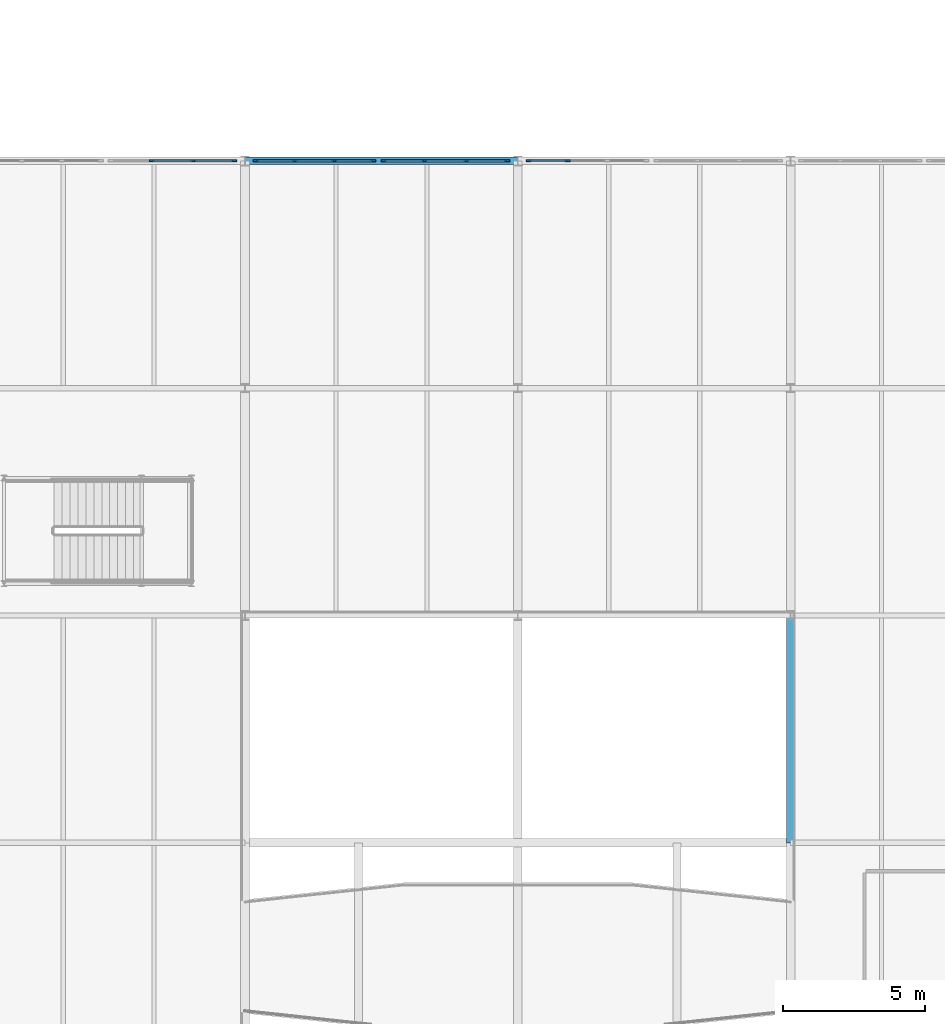
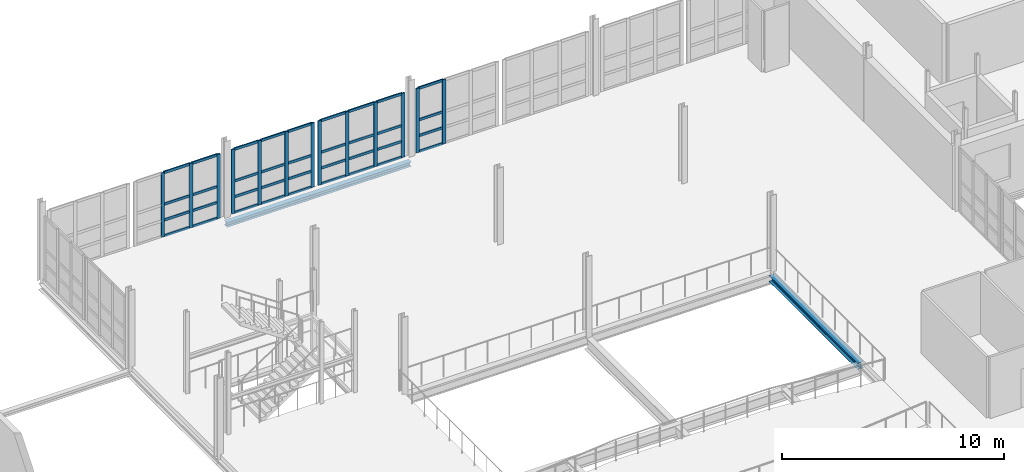
# One storey, part 34 of 73: 49 members, 2 beams, 4 elements without a shape of their own.
"""IFC4 building model written with IfcOpenShell, lengths in metres."""

from ifc_helpers import new_model, si_unit, direction, frame, origin, origin_2d, place, context, subcontext, project, spatial, rectangle, i_section, extrude, material, layer, layer_set, material_profile, profile_set, type_object, element, aggregate, save


model = new_model("IFC4")

# Units and contexts
model_context = context("Model", 3, precision=1e-05, world=origin(), true_north=direction((0.0, 1.0)))
body_context = subcontext(model_context, "Body", "Model", "MODEL_VIEW")
ifc_project = project(units=[si_unit("LENGTHUNIT", "METRE"), si_unit("AREAUNIT", "SQUARE_METRE"), si_unit("VOLUMEUNIT", "CUBIC_METRE"), si_unit("PLANEANGLEUNIT", "RADIAN"), si_unit("MASSUNIT", "GRAM", prefix="KILO")], contexts=[model_context])

# Site, building, storey
site_placement = place(None, origin())
site = spatial("IfcSite", under=ifc_project, at=site_placement, CompositionType="ELEMENT")
building_placement = place(site_placement, origin())
building = spatial("IfcBuilding", under=site, at=building_placement, Name="Alderhovde Museum", CompositionType="ELEMENT")
storey_placement = place(building_placement, frame((0.0, 0.0, 12.89990234375)))
storey = spatial("IfcBuildingStorey", under=building, at=storey_placement, Name="L03", CompositionType="ELEMENT", Elevation=12.89990234375)

# Beam
ifc_material_1 = material(Name="Steel S355J2", Category="steel")
ifc_material_profile_1 = material_profile(ifc_material_1, i_section(OverallWidth=0.300048828125, OverallDepth=0.330078125, WebThickness=0.009521484375, FlangeThickness=0.0166015625, FilletRadius=0.027099609375, at=origin_2d()), Name="HEA 340")
ifc_profile_set_1 = profile_set([ifc_material_profile_1], Name="Steel S355J2")
beam_type_1 = type_object("IfcBeamType", Name="BM-HEA340", PredefinedType="BEAM", material=ifc_profile_set_1)
beam_1_placement = place(storey_placement, frame((105.60009765625, 64.0, -0.4248046875), z_axis=(0.0, 1.0, 0.0), x_axis=(-1.0, 0.0, 0.0)))
element("IfcBeam", 1, at=beam_1_placement, inside=storey, type_object=beam_type_1, Name="L03 Grid Beam X=105.6 (64.0 TO 72.0)", PredefinedType="BEAM", context=body_context, shape_type="SweptSolid", body=[
    extrude(i_section(OverallWidth=0.300048828125, OverallDepth=0.330078125, WebThickness=0.009521484375, FlangeThickness=0.0166015625, FilletRadius=0.027099609375, at=origin_2d()), origin(), (0.0, 0.0, 1.0), 8.0),
])

# Curtain wall, members
ifc_material_2 = material(Name="Triple-Glazed Bronze-Anodised Curtain Wall", Category="glass")
ifc_layer_1 = layer(ifc_material_2, 0.179931640625)
ifc_layer_set_1 = layer_set([ifc_layer_1], Name="Triple-Glazed Bronze-Anodised Curtain Wall")
curtain_wall_type_1 = type_object("IfcCurtainWallType", Name="CW-UNIT-440x354", PredefinedType="USERDEFINED", material=ifc_layer_set_1)
curtain_wall_1_placement = place(storey_placement, origin())
curtain_wall_1 = element("IfcCurtainWall", 2, at=curtain_wall_1_placement, inside=storey, type_object=curtain_wall_type_1, Name="L03 Unitised Curtain Wall 49", ObjectType="UNITISED CURTAIN WALL", PredefinedType="USERDEFINED")
ifc_material_3 = material(Name="Bronze-Anodised Aluminium EN AW-6063-T6", Category="aluminium")
ifc_material_profile_2 = material_profile(ifc_material_3, rectangle(XDim=0.06494140625, YDim=0.179931640625, at=origin_2d()), Name="MULLION 65x180")
ifc_profile_set_2 = profile_set([ifc_material_profile_2], Name="Bronze-Anodised Aluminium EN AW-6063-T6")
member_type_1 = type_object("IfcMemberType", Name="CWM-65x180", PredefinedType="MULLION", material=ifc_profile_set_2)
member_1_placement = place(storey_placement, frame((83.11669921875, 88.0, 0.0), z_axis=(0.0, 0.0, 1.0), x_axis=(0.0, 1.0, 0.0)))
member_1 = element("IfcMember", 3, at=member_1_placement, type_object=member_type_1, Name="CW16 mullion 2", PredefinedType="MULLION", context=body_context, shape_type="SweptSolid", body=[
    extrude(rectangle(XDim=0.06494140625, YDim=0.179931640625, at=origin_2d()), origin(), (0.0, 0.0, 1.0), 3.5400390625),
])
member_2_placement = place(storey_placement, frame((84.583251953125, 88.0, 0.0), z_axis=(0.0, 0.0, 1.0), x_axis=(0.0, 1.0, 0.0)))
member_2 = element("IfcMember", 4, at=member_2_placement, type_object=member_type_1, Name="CW16 mullion 3", PredefinedType="MULLION", context=body_context, shape_type="SweptSolid", body=[
    extrude(rectangle(XDim=0.06494140625, YDim=0.179931640625, at=origin_2d()), origin(), (0.0, 0.0, 1.0), 3.5400390625),
])
member_3_placement = place(storey_placement, frame((86.017578125, 88.0, 0.0), z_axis=(0.0, 0.0, 1.0), x_axis=(0.0, 1.0, 0.0)))
member_3 = element("IfcMember", 5, at=member_3_placement, type_object=member_type_1, Name="CW16 mullion 4", PredefinedType="MULLION", context=body_context, shape_type="SweptSolid", body=[
    extrude(rectangle(XDim=0.06494140625, YDim=0.179931640625, at=origin_2d()), origin(), (0.0, 0.0, 1.0), 3.5400390625),
])

ifc_material_4 = material(Name="Triple-Glazed Bronze-Anodised Curtain Wall", Category="glass")
ifc_layer_2 = layer(ifc_material_4, 0.179931640625)
ifc_layer_set_2 = layer_set([ifc_layer_2], Name="Triple-Glazed Bronze-Anodised Curtain Wall")
curtain_wall_type_2 = type_object("IfcCurtainWallType", Name="CW-UNIT-420x354", PredefinedType="USERDEFINED", material=ifc_layer_set_2)
curtain_wall_2_placement = place(storey_placement, origin())
curtain_wall_2 = element("IfcCurtainWall", 6, at=curtain_wall_2_placement, inside=storey, type_object=curtain_wall_type_2, Name="L03 Unitised Curtain Wall 50", ObjectType="UNITISED CURTAIN WALL", PredefinedType="USERDEFINED")
member_4_placement = place(storey_placement, frame((86.782470703125, 88.0, 0.0), z_axis=(0.0, 0.0, 1.0), x_axis=(0.0, 1.0, 0.0)))
member_4 = element("IfcMember", 7, at=member_4_placement, type_object=member_type_1, Name="CW15 mullion 1", PredefinedType="MULLION", context=body_context, shape_type="SweptSolid", body=[
    extrude(rectangle(XDim=0.06494140625, YDim=0.179931640625, at=origin_2d()), origin(), (0.0, 0.0, 1.0), 3.5400390625),
])
member_5_placement = place(storey_placement, frame((88.14990234375, 88.0, 0.0), z_axis=(0.0, 0.0, 1.0), x_axis=(0.0, 1.0, 0.0)))
member_5 = element("IfcMember", 8, at=member_5_placement, type_object=member_type_1, Name="CW15 mullion 2", PredefinedType="MULLION", context=body_context, shape_type="SweptSolid", body=[
    extrude(rectangle(XDim=0.06494140625, YDim=0.179931640625, at=origin_2d()), origin(), (0.0, 0.0, 1.0), 3.5400390625),
])
member_6_placement = place(storey_placement, frame((89.550048828125, 88.0, 0.0), z_axis=(0.0, 0.0, 1.0), x_axis=(0.0, 1.0, 0.0)))
member_6 = element("IfcMember", 9, at=member_6_placement, type_object=member_type_1, Name="CW15 mullion 3", PredefinedType="MULLION", context=body_context, shape_type="SweptSolid", body=[
    extrude(rectangle(XDim=0.06494140625, YDim=0.179931640625, at=origin_2d()), origin(), (0.0, 0.0, 1.0), 3.5400390625),
])
member_7_placement = place(storey_placement, frame((90.91748046875, 88.0, 0.0), z_axis=(0.0, 0.0, 1.0), x_axis=(0.0, 1.0, 0.0)))
member_7 = element("IfcMember", 10, at=member_7_placement, type_object=member_type_1, Name="CW15 mullion 4", PredefinedType="MULLION", context=body_context, shape_type="SweptSolid", body=[
    extrude(rectangle(XDim=0.06494140625, YDim=0.179931640625, at=origin_2d()), origin(), (0.0, 0.0, 1.0), 3.5400390625),
])

curtain_wall_3_placement = place(storey_placement, origin())
curtain_wall_3 = element("IfcCurtainWall", 11, at=curtain_wall_3_placement, inside=storey, type_object=curtain_wall_type_1, Name="L03 Unitised Curtain Wall 51", ObjectType="UNITISED CURTAIN WALL", PredefinedType="USERDEFINED")
member_8_placement = place(storey_placement, frame((91.282470703125, 88.0, 0.0), z_axis=(0.0, 0.0, 1.0), x_axis=(0.0, 1.0, 0.0)))
member_8 = element("IfcMember", 12, at=member_8_placement, type_object=member_type_1, Name="CW16 mullion 1", PredefinedType="MULLION", context=body_context, shape_type="SweptSolid", body=[
    extrude(rectangle(XDim=0.06494140625, YDim=0.179931640625, at=origin_2d()), origin(), (0.0, 0.0, 1.0), 3.5400390625),
])
member_9_placement = place(storey_placement, frame((92.716552734375, 88.0, 0.0), z_axis=(0.0, 0.0, 1.0), x_axis=(0.0, 1.0, 0.0)))
member_9 = element("IfcMember", 13, at=member_9_placement, type_object=member_type_1, Name="CW16 mullion 2", PredefinedType="MULLION", context=body_context, shape_type="SweptSolid", body=[
    extrude(rectangle(XDim=0.06494140625, YDim=0.179931640625, at=origin_2d()), origin(), (0.0, 0.0, 1.0), 3.5400390625),
])
member_10_placement = place(storey_placement, frame((94.183349609375, 88.0, 0.0), z_axis=(0.0, 0.0, 1.0), x_axis=(0.0, 1.0, 0.0)))
member_10 = element("IfcMember", 14, at=member_10_placement, type_object=member_type_1, Name="CW16 mullion 3", PredefinedType="MULLION", context=body_context, shape_type="SweptSolid", body=[
    extrude(rectangle(XDim=0.06494140625, YDim=0.179931640625, at=origin_2d()), origin(), (0.0, 0.0, 1.0), 3.5400390625),
])
member_11_placement = place(storey_placement, frame((95.617431640625, 88.0, 0.0), z_axis=(0.0, 0.0, 1.0), x_axis=(0.0, 1.0, 0.0)))
member_11 = element("IfcMember", 15, at=member_11_placement, type_object=member_type_1, Name="CW16 mullion 4", PredefinedType="MULLION", context=body_context, shape_type="SweptSolid", body=[
    extrude(rectangle(XDim=0.06494140625, YDim=0.179931640625, at=origin_2d()), origin(), (0.0, 0.0, 1.0), 3.5400390625),
])

curtain_wall_4_placement = place(storey_placement, origin())
curtain_wall_4 = element("IfcCurtainWall", 16, at=curtain_wall_4_placement, inside=storey, type_object=curtain_wall_type_2, Name="L03 Unitised Curtain Wall 52", ObjectType="UNITISED CURTAIN WALL", PredefinedType="USERDEFINED")
member_12_placement = place(storey_placement, frame((96.382568359375, 88.0, 0.0), z_axis=(0.0, 0.0, 1.0), x_axis=(0.0, 1.0, 0.0)))
member_12 = element("IfcMember", 17, at=member_12_placement, type_object=member_type_1, Name="CW15 mullion 1", PredefinedType="MULLION", context=body_context, shape_type="SweptSolid", body=[
    extrude(rectangle(XDim=0.06494140625, YDim=0.179931640625, at=origin_2d()), origin(), (0.0, 0.0, 1.0), 3.5400390625),
])
member_13_placement = place(storey_placement, frame((97.75, 88.0, 0.0), z_axis=(0.0, 0.0, 1.0), x_axis=(0.0, 1.0, 0.0)))
member_13 = element("IfcMember", 18, at=member_13_placement, type_object=member_type_1, Name="CW15 mullion 2", PredefinedType="MULLION", context=body_context, shape_type="SweptSolid", body=[
    extrude(rectangle(XDim=0.06494140625, YDim=0.179931640625, at=origin_2d()), origin(), (0.0, 0.0, 1.0), 3.5400390625),
])

# Member
ifc_material_5 = material(Name="Bronze-Anodised Aluminium EN AW-6063-T6", Category="aluminium")
ifc_material_profile_3 = material_profile(ifc_material_5, rectangle(XDim=0.06494140625, YDim=0.139892578125, at=origin_2d()), Name="TRANSOM 65x140")
ifc_profile_set_3 = profile_set([ifc_material_profile_3], Name="Bronze-Anodised Aluminium EN AW-6063-T6")
member_type_2 = type_object("IfcMemberType", Name="CWT-65x140", PredefinedType="USERDEFINED", material=ifc_profile_set_3)
member_14_placement = place(storey_placement, frame((83.149169921875, 88.0, 0.03271484375), z_axis=(1.0, 0.0, 0.0), x_axis=(0.0, 1.0, 0.0)))
member_14 = element("IfcMember", 19, at=member_14_placement, type_object=member_type_2, Name="CW16 transom 2.1", ObjectType="TRANSOM", PredefinedType="USERDEFINED", context=body_context, shape_type="SweptSolid", body=[
    extrude(rectangle(XDim=0.06494140625, YDim=0.139892578125, at=origin_2d()), origin(), (0.0, 0.0, 1.0), 1.401611328125),
])

member_15_placement = place(storey_placement, frame((83.149169921875, 88.0, 0.900146484375), z_axis=(1.0, 0.0, 0.0), x_axis=(0.0, 1.0, 0.0)))
member_15 = element("IfcMember", 20, at=member_15_placement, type_object=member_type_2, Name="CW16 transom 2.2", ObjectType="TRANSOM", PredefinedType="USERDEFINED", context=body_context, shape_type="SweptSolid", body=[
    extrude(rectangle(XDim=0.06494140625, YDim=0.139892578125, at=origin_2d()), origin(), (0.0, 0.0, 1.0), 1.401611328125),
])

member_16_placement = place(storey_placement, frame((83.149169921875, 88.0, 1.77001953125), z_axis=(1.0, 0.0, 0.0), x_axis=(0.0, 1.0, 0.0)))
member_16 = element("IfcMember", 21, at=member_16_placement, type_object=member_type_2, Name="CW16 transom 2.3", ObjectType="TRANSOM", PredefinedType="USERDEFINED", context=body_context, shape_type="SweptSolid", body=[
    extrude(rectangle(XDim=0.06494140625, YDim=0.139892578125, at=origin_2d()), origin(), (0.0, 0.0, 1.0), 1.401611328125),
])

member_17_placement = place(storey_placement, frame((83.149169921875, 88.0, 3.507568359375), z_axis=(1.0, 0.0, 0.0), x_axis=(0.0, 1.0, 0.0)))
member_17 = element("IfcMember", 22, at=member_17_placement, type_object=member_type_2, Name="CW16 transom 2.4", ObjectType="TRANSOM", PredefinedType="USERDEFINED", context=body_context, shape_type="SweptSolid", body=[
    extrude(rectangle(XDim=0.06494140625, YDim=0.139892578125, at=origin_2d()), origin(), (0.0, 0.0, 1.0), 1.401611328125),
])

member_18_placement = place(storey_placement, frame((84.61572265625, 88.0, 0.03271484375), z_axis=(1.0, 0.0, 0.0), x_axis=(0.0, 1.0, 0.0)))
member_18 = element("IfcMember", 23, at=member_18_placement, type_object=member_type_2, Name="CW16 transom 3.1", ObjectType="TRANSOM", PredefinedType="USERDEFINED", context=body_context, shape_type="SweptSolid", body=[
    extrude(rectangle(XDim=0.06494140625, YDim=0.139892578125, at=origin_2d()), origin(), (0.0, 0.0, 1.0), 1.369384765625),
])

member_19_placement = place(storey_placement, frame((84.61572265625, 88.0, 0.900146484375), z_axis=(1.0, 0.0, 0.0), x_axis=(0.0, 1.0, 0.0)))
member_19 = element("IfcMember", 24, at=member_19_placement, type_object=member_type_2, Name="CW16 transom 3.2", ObjectType="TRANSOM", PredefinedType="USERDEFINED", context=body_context, shape_type="SweptSolid", body=[
    extrude(rectangle(XDim=0.06494140625, YDim=0.139892578125, at=origin_2d()), origin(), (0.0, 0.0, 1.0), 1.369384765625),
])

member_20_placement = place(storey_placement, frame((84.61572265625, 88.0, 1.77001953125), z_axis=(1.0, 0.0, 0.0), x_axis=(0.0, 1.0, 0.0)))
member_20 = element("IfcMember", 25, at=member_20_placement, type_object=member_type_2, Name="CW16 transom 3.3", ObjectType="TRANSOM", PredefinedType="USERDEFINED", context=body_context, shape_type="SweptSolid", body=[
    extrude(rectangle(XDim=0.06494140625, YDim=0.139892578125, at=origin_2d()), origin(), (0.0, 0.0, 1.0), 1.369384765625),
])

member_21_placement = place(storey_placement, frame((84.61572265625, 88.0, 3.507568359375), z_axis=(1.0, 0.0, 0.0), x_axis=(0.0, 1.0, 0.0)))
member_21 = element("IfcMember", 26, at=member_21_placement, type_object=member_type_2, Name="CW16 transom 3.4", ObjectType="TRANSOM", PredefinedType="USERDEFINED", context=body_context, shape_type="SweptSolid", body=[
    extrude(rectangle(XDim=0.06494140625, YDim=0.139892578125, at=origin_2d()), origin(), (0.0, 0.0, 1.0), 1.369384765625),
])

aggregate(curtain_wall_1, [member_1, member_2, member_3, member_14, member_15, member_16, member_17, member_18, member_19, member_20, member_21])

member_22_placement = place(storey_placement, frame((86.81494140625, 88.0, 0.03271484375), z_axis=(1.0, 0.0, 0.0), x_axis=(0.0, 1.0, 0.0)))
member_22 = element("IfcMember", 27, at=member_22_placement, type_object=member_type_2, Name="CW15 transom 1.1", ObjectType="TRANSOM", PredefinedType="USERDEFINED", context=body_context, shape_type="SweptSolid", body=[
    extrude(rectangle(XDim=0.06494140625, YDim=0.139892578125, at=origin_2d()), origin(), (0.0, 0.0, 1.0), 1.302490234375),
])

member_23_placement = place(storey_placement, frame((86.81494140625, 88.0, 0.900146484375), z_axis=(1.0, 0.0, 0.0), x_axis=(0.0, 1.0, 0.0)))
member_23 = element("IfcMember", 28, at=member_23_placement, type_object=member_type_2, Name="CW15 transom 1.2", ObjectType="TRANSOM", PredefinedType="USERDEFINED", context=body_context, shape_type="SweptSolid", body=[
    extrude(rectangle(XDim=0.06494140625, YDim=0.139892578125, at=origin_2d()), origin(), (0.0, 0.0, 1.0), 1.302490234375),
])

member_24_placement = place(storey_placement, frame((86.81494140625, 88.0, 1.77001953125), z_axis=(1.0, 0.0, 0.0), x_axis=(0.0, 1.0, 0.0)))
member_24 = element("IfcMember", 29, at=member_24_placement, type_object=member_type_2, Name="CW15 transom 1.3", ObjectType="TRANSOM", PredefinedType="USERDEFINED", context=body_context, shape_type="SweptSolid", body=[
    extrude(rectangle(XDim=0.06494140625, YDim=0.139892578125, at=origin_2d()), origin(), (0.0, 0.0, 1.0), 1.302490234375),
])

member_25_placement = place(storey_placement, frame((86.81494140625, 88.0, 3.507568359375), z_axis=(1.0, 0.0, 0.0), x_axis=(0.0, 1.0, 0.0)))
member_25 = element("IfcMember", 30, at=member_25_placement, type_object=member_type_2, Name="CW15 transom 1.4", ObjectType="TRANSOM", PredefinedType="USERDEFINED", context=body_context, shape_type="SweptSolid", body=[
    extrude(rectangle(XDim=0.06494140625, YDim=0.139892578125, at=origin_2d()), origin(), (0.0, 0.0, 1.0), 1.302490234375),
])

member_26_placement = place(storey_placement, frame((88.1826171875, 88.0, 0.03271484375), z_axis=(1.0, 0.0, 0.0), x_axis=(0.0, 1.0, 0.0)))
member_26 = element("IfcMember", 31, at=member_26_placement, type_object=member_type_2, Name="CW15 transom 2.1", ObjectType="TRANSOM", PredefinedType="USERDEFINED", context=body_context, shape_type="SweptSolid", body=[
    extrude(rectangle(XDim=0.06494140625, YDim=0.139892578125, at=origin_2d()), origin(), (0.0, 0.0, 1.0), 1.3349609375),
])

member_27_placement = place(storey_placement, frame((88.1826171875, 88.0, 0.900146484375), z_axis=(1.0, 0.0, 0.0), x_axis=(0.0, 1.0, 0.0)))
member_27 = element("IfcMember", 32, at=member_27_placement, type_object=member_type_2, Name="CW15 transom 2.2", ObjectType="TRANSOM", PredefinedType="USERDEFINED", context=body_context, shape_type="SweptSolid", body=[
    extrude(rectangle(XDim=0.06494140625, YDim=0.139892578125, at=origin_2d()), origin(), (0.0, 0.0, 1.0), 1.3349609375),
])

member_28_placement = place(storey_placement, frame((88.1826171875, 88.0, 1.77001953125), z_axis=(1.0, 0.0, 0.0), x_axis=(0.0, 1.0, 0.0)))
member_28 = element("IfcMember", 33, at=member_28_placement, type_object=member_type_2, Name="CW15 transom 2.3", ObjectType="TRANSOM", PredefinedType="USERDEFINED", context=body_context, shape_type="SweptSolid", body=[
    extrude(rectangle(XDim=0.06494140625, YDim=0.139892578125, at=origin_2d()), origin(), (0.0, 0.0, 1.0), 1.3349609375),
])

member_29_placement = place(storey_placement, frame((88.1826171875, 88.0, 3.507568359375), z_axis=(1.0, 0.0, 0.0), x_axis=(0.0, 1.0, 0.0)))
member_29 = element("IfcMember", 34, at=member_29_placement, type_object=member_type_2, Name="CW15 transom 2.4", ObjectType="TRANSOM", PredefinedType="USERDEFINED", context=body_context, shape_type="SweptSolid", body=[
    extrude(rectangle(XDim=0.06494140625, YDim=0.139892578125, at=origin_2d()), origin(), (0.0, 0.0, 1.0), 1.3349609375),
])

member_30_placement = place(storey_placement, frame((89.58251953125, 88.0, 0.03271484375), z_axis=(1.0, 0.0, 0.0), x_axis=(0.0, 1.0, 0.0)))
member_30 = element("IfcMember", 35, at=member_30_placement, type_object=member_type_2, Name="CW15 transom 3.1", ObjectType="TRANSOM", PredefinedType="USERDEFINED", context=body_context, shape_type="SweptSolid", body=[
    extrude(rectangle(XDim=0.06494140625, YDim=0.139892578125, at=origin_2d()), origin(), (0.0, 0.0, 1.0), 1.302490234375),
])

member_31_placement = place(storey_placement, frame((89.58251953125, 88.0, 0.900146484375), z_axis=(1.0, 0.0, 0.0), x_axis=(0.0, 1.0, 0.0)))
member_31 = element("IfcMember", 36, at=member_31_placement, type_object=member_type_2, Name="CW15 transom 3.2", ObjectType="TRANSOM", PredefinedType="USERDEFINED", context=body_context, shape_type="SweptSolid", body=[
    extrude(rectangle(XDim=0.06494140625, YDim=0.139892578125, at=origin_2d()), origin(), (0.0, 0.0, 1.0), 1.302490234375),
])

member_32_placement = place(storey_placement, frame((89.58251953125, 88.0, 1.77001953125), z_axis=(1.0, 0.0, 0.0), x_axis=(0.0, 1.0, 0.0)))
member_32 = element("IfcMember", 37, at=member_32_placement, type_object=member_type_2, Name="CW15 transom 3.3", ObjectType="TRANSOM", PredefinedType="USERDEFINED", context=body_context, shape_type="SweptSolid", body=[
    extrude(rectangle(XDim=0.06494140625, YDim=0.139892578125, at=origin_2d()), origin(), (0.0, 0.0, 1.0), 1.302490234375),
])

member_33_placement = place(storey_placement, frame((89.58251953125, 88.0, 3.507568359375), z_axis=(1.0, 0.0, 0.0), x_axis=(0.0, 1.0, 0.0)))
member_33 = element("IfcMember", 38, at=member_33_placement, type_object=member_type_2, Name="CW15 transom 3.4", ObjectType="TRANSOM", PredefinedType="USERDEFINED", context=body_context, shape_type="SweptSolid", body=[
    extrude(rectangle(XDim=0.06494140625, YDim=0.139892578125, at=origin_2d()), origin(), (0.0, 0.0, 1.0), 1.302490234375),
])

aggregate(curtain_wall_2, [member_4, member_5, member_6, member_7, member_22, member_23, member_24, member_25, member_26, member_27, member_28, member_29, member_30, member_31, member_32, member_33])

member_34_placement = place(storey_placement, frame((91.31494140625, 88.0, 0.03271484375), z_axis=(1.0, 0.0, 0.0), x_axis=(0.0, 1.0, 0.0)))
member_34 = element("IfcMember", 39, at=member_34_placement, type_object=member_type_2, Name="CW16 transom 1.1", ObjectType="TRANSOM", PredefinedType="USERDEFINED", context=body_context, shape_type="SweptSolid", body=[
    extrude(rectangle(XDim=0.06494140625, YDim=0.139892578125, at=origin_2d()), origin(), (0.0, 0.0, 1.0), 1.369140625),
])

member_35_placement = place(storey_placement, frame((91.31494140625, 88.0, 0.900146484375), z_axis=(1.0, 0.0, 0.0), x_axis=(0.0, 1.0, 0.0)))
member_35 = element("IfcMember", 40, at=member_35_placement, type_object=member_type_2, Name="CW16 transom 1.2", ObjectType="TRANSOM", PredefinedType="USERDEFINED", context=body_context, shape_type="SweptSolid", body=[
    extrude(rectangle(XDim=0.06494140625, YDim=0.139892578125, at=origin_2d()), origin(), (0.0, 0.0, 1.0), 1.369140625),
])

member_36_placement = place(storey_placement, frame((91.31494140625, 88.0, 1.77001953125), z_axis=(1.0, 0.0, 0.0), x_axis=(0.0, 1.0, 0.0)))
member_36 = element("IfcMember", 41, at=member_36_placement, type_object=member_type_2, Name="CW16 transom 1.3", ObjectType="TRANSOM", PredefinedType="USERDEFINED", context=body_context, shape_type="SweptSolid", body=[
    extrude(rectangle(XDim=0.06494140625, YDim=0.139892578125, at=origin_2d()), origin(), (0.0, 0.0, 1.0), 1.369140625),
])

member_37_placement = place(storey_placement, frame((91.31494140625, 88.0, 3.507568359375), z_axis=(1.0, 0.0, 0.0), x_axis=(0.0, 1.0, 0.0)))
member_37 = element("IfcMember", 42, at=member_37_placement, type_object=member_type_2, Name="CW16 transom 1.4", ObjectType="TRANSOM", PredefinedType="USERDEFINED", context=body_context, shape_type="SweptSolid", body=[
    extrude(rectangle(XDim=0.06494140625, YDim=0.139892578125, at=origin_2d()), origin(), (0.0, 0.0, 1.0), 1.369140625),
])

member_38_placement = place(storey_placement, frame((92.749267578125, 88.0, 0.03271484375), z_axis=(1.0, 0.0, 0.0), x_axis=(0.0, 1.0, 0.0)))
member_38 = element("IfcMember", 43, at=member_38_placement, type_object=member_type_2, Name="CW16 transom 2.1", ObjectType="TRANSOM", PredefinedType="USERDEFINED", context=body_context, shape_type="SweptSolid", body=[
    extrude(rectangle(XDim=0.06494140625, YDim=0.139892578125, at=origin_2d()), origin(), (0.0, 0.0, 1.0), 1.401611328125),
])

member_39_placement = place(storey_placement, frame((92.749267578125, 88.0, 0.900146484375), z_axis=(1.0, 0.0, 0.0), x_axis=(0.0, 1.0, 0.0)))
member_39 = element("IfcMember", 44, at=member_39_placement, type_object=member_type_2, Name="CW16 transom 2.2", ObjectType="TRANSOM", PredefinedType="USERDEFINED", context=body_context, shape_type="SweptSolid", body=[
    extrude(rectangle(XDim=0.06494140625, YDim=0.139892578125, at=origin_2d()), origin(), (0.0, 0.0, 1.0), 1.401611328125),
])

member_40_placement = place(storey_placement, frame((92.749267578125, 88.0, 1.77001953125), z_axis=(1.0, 0.0, 0.0), x_axis=(0.0, 1.0, 0.0)))
member_40 = element("IfcMember", 45, at=member_40_placement, type_object=member_type_2, Name="CW16 transom 2.3", ObjectType="TRANSOM", PredefinedType="USERDEFINED", context=body_context, shape_type="SweptSolid", body=[
    extrude(rectangle(XDim=0.06494140625, YDim=0.139892578125, at=origin_2d()), origin(), (0.0, 0.0, 1.0), 1.401611328125),
])

member_41_placement = place(storey_placement, frame((92.749267578125, 88.0, 3.507568359375), z_axis=(1.0, 0.0, 0.0), x_axis=(0.0, 1.0, 0.0)))
member_41 = element("IfcMember", 46, at=member_41_placement, type_object=member_type_2, Name="CW16 transom 2.4", ObjectType="TRANSOM", PredefinedType="USERDEFINED", context=body_context, shape_type="SweptSolid", body=[
    extrude(rectangle(XDim=0.06494140625, YDim=0.139892578125, at=origin_2d()), origin(), (0.0, 0.0, 1.0), 1.401611328125),
])

member_42_placement = place(storey_placement, frame((94.2158203125, 88.0, 0.03271484375), z_axis=(1.0, 0.0, 0.0), x_axis=(0.0, 1.0, 0.0)))
member_42 = element("IfcMember", 47, at=member_42_placement, type_object=member_type_2, Name="CW16 transom 3.1", ObjectType="TRANSOM", PredefinedType="USERDEFINED", context=body_context, shape_type="SweptSolid", body=[
    extrude(rectangle(XDim=0.06494140625, YDim=0.139892578125, at=origin_2d()), origin(), (0.0, 0.0, 1.0), 1.369140625),
])

member_43_placement = place(storey_placement, frame((94.2158203125, 88.0, 0.900146484375), z_axis=(1.0, 0.0, 0.0), x_axis=(0.0, 1.0, 0.0)))
member_43 = element("IfcMember", 48, at=member_43_placement, type_object=member_type_2, Name="CW16 transom 3.2", ObjectType="TRANSOM", PredefinedType="USERDEFINED", context=body_context, shape_type="SweptSolid", body=[
    extrude(rectangle(XDim=0.06494140625, YDim=0.139892578125, at=origin_2d()), origin(), (0.0, 0.0, 1.0), 1.369140625),
])

member_44_placement = place(storey_placement, frame((94.2158203125, 88.0, 1.77001953125), z_axis=(1.0, 0.0, 0.0), x_axis=(0.0, 1.0, 0.0)))
member_44 = element("IfcMember", 49, at=member_44_placement, type_object=member_type_2, Name="CW16 transom 3.3", ObjectType="TRANSOM", PredefinedType="USERDEFINED", context=body_context, shape_type="SweptSolid", body=[
    extrude(rectangle(XDim=0.06494140625, YDim=0.139892578125, at=origin_2d()), origin(), (0.0, 0.0, 1.0), 1.369140625),
])

member_45_placement = place(storey_placement, frame((94.2158203125, 88.0, 3.507568359375), z_axis=(1.0, 0.0, 0.0), x_axis=(0.0, 1.0, 0.0)))
member_45 = element("IfcMember", 50, at=member_45_placement, type_object=member_type_2, Name="CW16 transom 3.4", ObjectType="TRANSOM", PredefinedType="USERDEFINED", context=body_context, shape_type="SweptSolid", body=[
    extrude(rectangle(XDim=0.06494140625, YDim=0.139892578125, at=origin_2d()), origin(), (0.0, 0.0, 1.0), 1.369140625),
])

aggregate(curtain_wall_3, [member_8, member_9, member_10, member_11, member_34, member_35, member_36, member_37, member_38, member_39, member_40, member_41, member_42, member_43, member_44, member_45])

member_46_placement = place(storey_placement, frame((96.4150390625, 88.0, 0.03271484375), z_axis=(1.0, 0.0, 0.0), x_axis=(0.0, 1.0, 0.0)))
member_46 = element("IfcMember", 51, at=member_46_placement, type_object=member_type_2, Name="CW15 transom 1.1", ObjectType="TRANSOM", PredefinedType="USERDEFINED", context=body_context, shape_type="SweptSolid", body=[
    extrude(rectangle(XDim=0.06494140625, YDim=0.139892578125, at=origin_2d()), origin(), (0.0, 0.0, 1.0), 1.302490234375),
])

member_47_placement = place(storey_placement, frame((96.4150390625, 88.0, 0.900146484375), z_axis=(1.0, 0.0, 0.0), x_axis=(0.0, 1.0, 0.0)))
member_47 = element("IfcMember", 52, at=member_47_placement, type_object=member_type_2, Name="CW15 transom 1.2", ObjectType="TRANSOM", PredefinedType="USERDEFINED", context=body_context, shape_type="SweptSolid", body=[
    extrude(rectangle(XDim=0.06494140625, YDim=0.139892578125, at=origin_2d()), origin(), (0.0, 0.0, 1.0), 1.302490234375),
])

member_48_placement = place(storey_placement, frame((96.4150390625, 88.0, 1.77001953125), z_axis=(1.0, 0.0, 0.0), x_axis=(0.0, 1.0, 0.0)))
member_48 = element("IfcMember", 53, at=member_48_placement, type_object=member_type_2, Name="CW15 transom 1.3", ObjectType="TRANSOM", PredefinedType="USERDEFINED", context=body_context, shape_type="SweptSolid", body=[
    extrude(rectangle(XDim=0.06494140625, YDim=0.139892578125, at=origin_2d()), origin(), (0.0, 0.0, 1.0), 1.302490234375),
])

member_49_placement = place(storey_placement, frame((96.4150390625, 88.0, 3.507568359375), z_axis=(1.0, 0.0, 0.0), x_axis=(0.0, 1.0, 0.0)))
member_49 = element("IfcMember", 54, at=member_49_placement, type_object=member_type_2, Name="CW15 transom 1.4", ObjectType="TRANSOM", PredefinedType="USERDEFINED", context=body_context, shape_type="SweptSolid", body=[
    extrude(rectangle(XDim=0.06494140625, YDim=0.139892578125, at=origin_2d()), origin(), (0.0, 0.0, 1.0), 1.302490234375),
])

aggregate(curtain_wall_4, [member_12, member_13, member_46, member_47, member_48, member_49])

# Beam
ifc_material_6 = material(Name="Steel S355J2", Category="steel")
ifc_material_profile_4 = material_profile(ifc_material_6, i_section(OverallWidth=0.260009765625, OverallDepth=0.25, WebThickness=0.007568359375, FlangeThickness=0.012451171875, FilletRadius=0.02392578125, at=origin_2d()), Name="HEA 260")
ifc_profile_set_4 = profile_set([ifc_material_profile_4], Name="Steel S355J2")
beam_type_2 = type_object("IfcBeamType", Name="SPD-HEA260", PredefinedType="SPANDREL", material=ifc_profile_set_4)
beam_2_placement = place(storey_placement, frame((86.39990234375, 88.0, -0.44482421875), z_axis=(1.0, 0.0, 0.0), x_axis=(0.0, 1.0, 0.0)))
element("IfcBeam", 55, at=beam_2_placement, inside=storey, type_object=beam_type_2, Name="L03 Grid Beam Y=88.0 (86.4 TO 96.0)", PredefinedType="SPANDREL", context=body_context, shape_type="SweptSolid", body=[
    extrude(i_section(OverallWidth=0.260009765625, OverallDepth=0.25, WebThickness=0.007568359375, FlangeThickness=0.012451171875, FilletRadius=0.02392578125, at=origin_2d()), origin(), (0.0, 0.0, 1.0), 9.60009765625),
])

save(model, "model.ifc")
